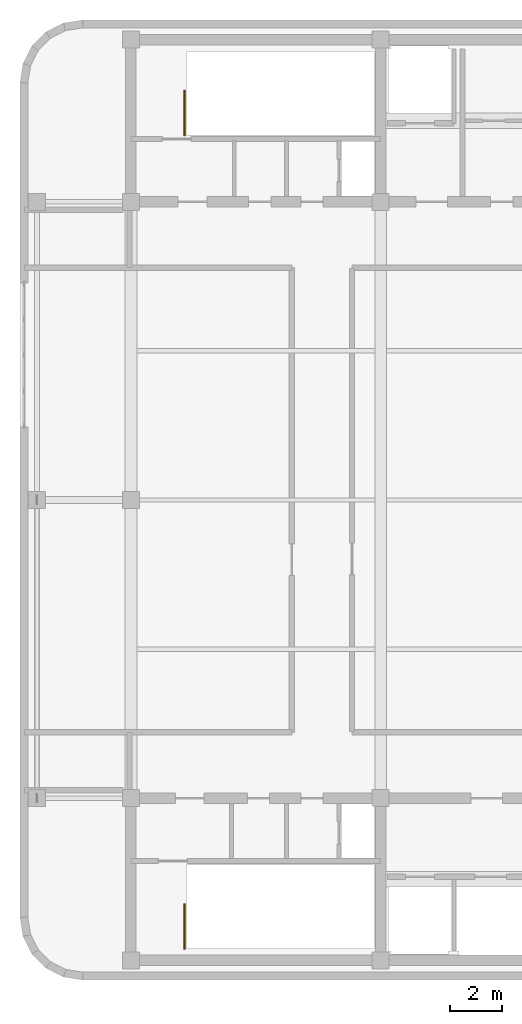
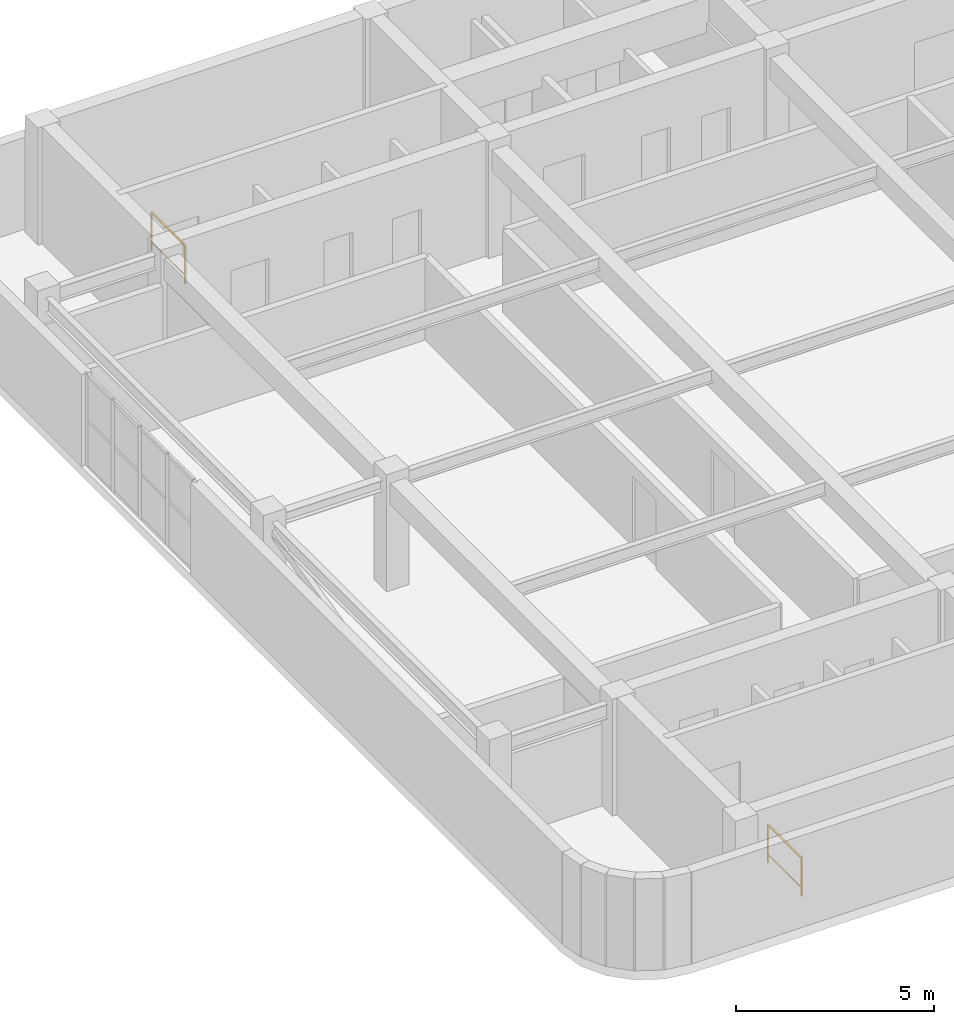
# One storey, part 9 of 9: 2 railings.
"""IFC4 building model written with IfcOpenShell, lengths in metres."""

from ifc_helpers import new_model, si_unit, direction, frame, origin, origin_2d, place, context, subcontext, project, spatial, rectangle, extrude, material, type_object, element, save


model = new_model("IFC4")

# Units and contexts
model_context = context("Model", 3, precision=1e-05, world=origin(), true_north=direction((0.0, 1.0)))
body_context = subcontext(model_context, "Body", "Model", "MODEL_VIEW")
ifc_project = project(units=[si_unit("LENGTHUNIT", "METRE"), si_unit("AREAUNIT", "SQUARE_METRE"), si_unit("VOLUMEUNIT", "CUBIC_METRE"), si_unit("PLANEANGLEUNIT", "RADIAN"), si_unit("MASSUNIT", "GRAM", prefix="KILO")], contexts=[model_context])

# Site, building, storey
site_placement = place(None, origin())
site = spatial("IfcSite", under=ifc_project, at=site_placement, CompositionType="ELEMENT")
building_placement = place(site_placement, origin())
building = spatial("IfcBuilding", under=site, at=building_placement, Name="Svetorya Sky Lyceum", CompositionType="ELEMENT")
storey_placement = place(building_placement, frame((0.0, 0.0, 320.0)))
storey = spatial("IfcBuildingStorey", under=building, at=storey_placement, Name="C06", CompositionType="ELEMENT", Elevation=320.0)

# Railings
ifc_material = material(Name="Painted galvanized stair well guard")
railing_type = type_object("IfcRailingType", Name="RL-STR-GUARD-1200", PredefinedType="GUARDRAIL", material=ifc_material)
railing_1_placement = place(storey_placement, frame((27.64990234375, 11.050048828125, 0.0)))
element("IfcRailing", 1, at=railing_1_placement, inside=storey, type_object=railing_type, Name="C06 ST-S top well guard 1", PredefinedType="GUARDRAIL", context=body_context, shape_type="SweptSolid", body=[
    extrude(rectangle(XDim=0.048095703125, YDim=0.048095703125, at=origin_2d()), frame((0.0, 0.0, 1.17578125), z_axis=(0.0, 1.0, 0.0), x_axis=(-1.0, 0.0, 0.0)), (0.0, 0.0, 1.0), 1.699951171875),
    extrude(rectangle(XDim=0.02392578125, YDim=0.02392578125, at=origin_2d()), frame((0.0, 0.0, 0.25), z_axis=(0.0, 1.0, 0.0), x_axis=(-1.0, 0.0, 0.0)), (0.0, 0.0, 1.0), 1.699951171875),
    extrude(rectangle(XDim=0.0419921875, YDim=0.0419921875, at=origin_2d()), origin(), (0.0, 0.0, 1.0), 1.15185546875),
    extrude(rectangle(XDim=0.0419921875, YDim=0.0419921875, at=origin_2d()), frame((0.0, 1.699951171875, 0.0)), (0.0, 0.0, 1.0), 1.15185546875),
])
railing_2_placement = place(storey_placement, frame((27.64990234375, 42.14990234375, 0.0)))
element("IfcRailing", 2, at=railing_2_placement, inside=storey, type_object=railing_type, Name="C06 ST-N top well guard 1", PredefinedType="GUARDRAIL", context=body_context, shape_type="SweptSolid", body=[
    extrude(rectangle(XDim=0.048095703125, YDim=0.048095703125, at=origin_2d()), frame((0.0, 0.0, 1.17578125), z_axis=(0.0, 1.0, 0.0), x_axis=(-1.0, 0.0, 0.0)), (0.0, 0.0, 1.0), 1.7001953125),
    extrude(rectangle(XDim=0.02392578125, YDim=0.02392578125, at=origin_2d()), frame((0.0, 0.0, 0.25), z_axis=(0.0, 1.0, 0.0), x_axis=(-1.0, 0.0, 0.0)), (0.0, 0.0, 1.0), 1.7001953125),
    extrude(rectangle(XDim=0.0419921875, YDim=0.0419921875, at=origin_2d()), origin(), (0.0, 0.0, 1.0), 1.15185546875),
    extrude(rectangle(XDim=0.0419921875, YDim=0.0419921875, at=origin_2d()), frame((0.0, 1.7001953125, 0.0)), (0.0, 0.0, 1.0), 1.15185546875),
])

save(model, "model.ifc")
